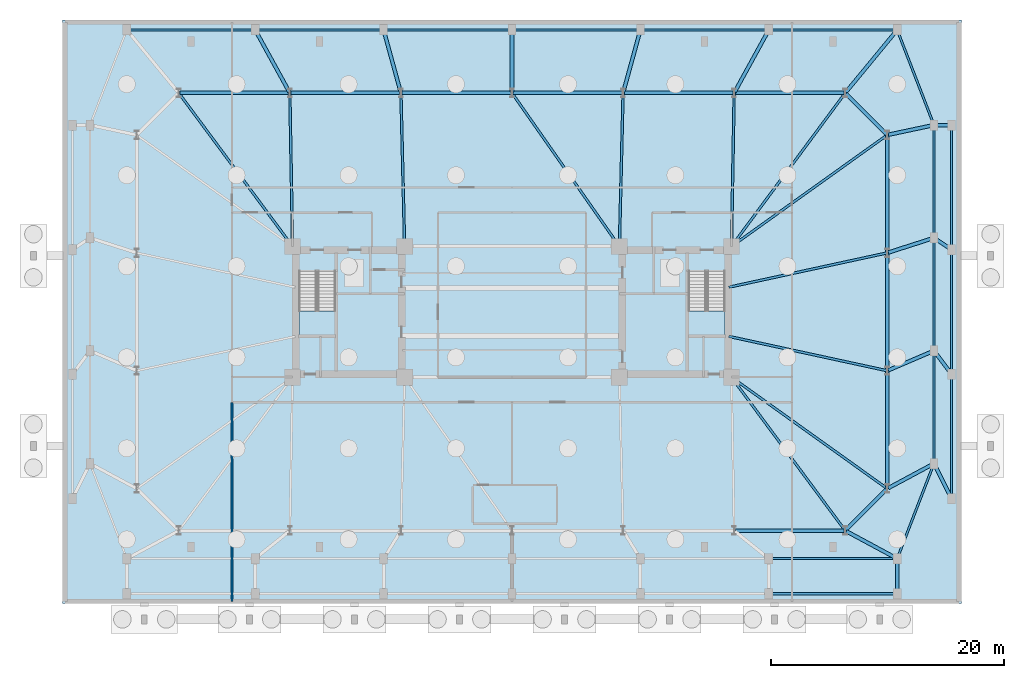
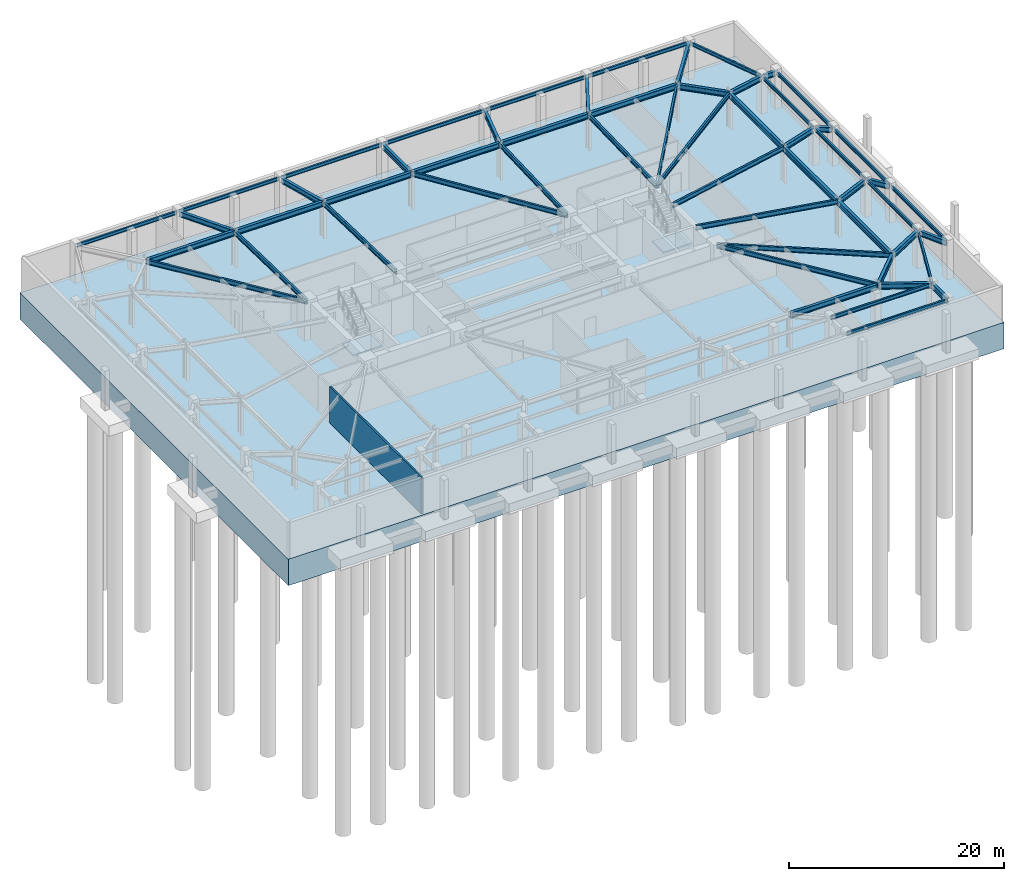
# One storey, part 7 of 15: 56 beams, 3 slabs, 1 wall, 2 elements without a shape of their own.
"""IFC4 building model written with IfcOpenShell, lengths in metres."""

from ifc_helpers import new_model, si_unit, direction, frame, frame_2d, origin, origin_2d, place, context, subcontext, project, spatial, polyline, rectangle, i_section, outline, extrude, material, layer, layer_set, material_profile, profile_set, type_object, element, aggregate, save


model = new_model("IFC4")

# Units and contexts
model_context = context("Model", 3, precision=1e-05, world=origin(), true_north=direction((0.0, 1.0)))
body_context = subcontext(model_context, "Body", "Model", "MODEL_VIEW")
ifc_project = project(units=[si_unit("LENGTHUNIT", "METRE"), si_unit("AREAUNIT", "SQUARE_METRE"), si_unit("VOLUMEUNIT", "CUBIC_METRE"), si_unit("PLANEANGLEUNIT", "RADIAN"), si_unit("MASSUNIT", "GRAM", prefix="KILO")], contexts=[model_context])

# Site, building, storey
site_placement = place(None, origin())
site = spatial("IfcSite", under=ifc_project, at=site_placement, CompositionType="ELEMENT")
building_placement = place(site_placement, origin())
building = spatial("IfcBuilding", under=site, at=building_placement, Name="Qobustan Lattice House", CompositionType="ELEMENT")
storey_placement = place(building_placement, frame((0.0, 0.0, -9.0)))
storey = spatial("IfcBuildingStorey", under=building, at=storey_placement, Name="B02", CompositionType="ELEMENT", Elevation=-9.0)

# Beams
ifc_material_1 = material(Name="Steel S355", Category="steel")
ifc_material_profile_1 = material_profile(ifc_material_1, i_section(OverallWidth=0.199951171875, OverallDepth=0.5, WebThickness=0.01025390625, FlangeThickness=0.01611328125, FilletRadius=0.02099609375, at=origin_2d()), Name="IPE500")
ifc_profile_set_1 = profile_set([ifc_material_profile_1], Name="Steel S355")
beam_type_1 = type_object("IfcBeamType", Name="BM-FLG-IPE500", PredefinedType="USERDEFINED", material=ifc_profile_set_1)
for number, where, z_axis, x_axis, name in (
    (1, (28.53515625, -18.72998046875, 3.889892578125), (-0.5955916815, 0.803287338956, 0.0), (-0.803287338956, -0.5955916815, 0.0), "B02 primary floor girder RAD-S7E"),
    (2, (-28.53515625, 18.72998046875, 3.889892578125), (0.5955916815, -0.803287338956, 0.0), (0.803287338956, 0.5955916815, 0.0), "B02 primary floor girder RAD-N7W"),
):
    element("IfcBeam", number, at=place(storey_placement, frame(where, z_axis=z_axis, x_axis=x_axis)), inside=storey, type_object=beam_type_1, Name=name, ObjectType="GIRDER", PredefinedType="USERDEFINED", context=body_context, shape_type="SweptSolid", body=[
        extrude(i_section(OverallWidth=0.199951171875, OverallDepth=0.5, WebThickness=0.01025390625, FlangeThickness=0.01611328125, FilletRadius=0.02099609375, at=origin_2d()), origin(), (0.0, 0.0, 1.0), 16.3203125),
    ])
beam_1_placement = place(storey_placement, frame((-19.032958984375, 18.72509765625, 3.889892578125), z_axis=(0.017757831607, -0.999842317276, 0.0), x_axis=(0.999842317276, 0.017757831607, 0.0)))
element("IfcBeam", 3, at=beam_1_placement, inside=storey, type_object=beam_type_1, Name="B02 primary floor girder RAD-N6", ObjectType="GIRDER", PredefinedType="USERDEFINED", context=body_context, shape_type="SweptSolid", body=[
    extrude(i_section(OverallWidth=0.199951171875, OverallDepth=0.5, WebThickness=0.01025390625, FlangeThickness=0.01611328125, FilletRadius=0.02099609375, at=origin_2d()), origin(), (0.0, 0.0, 1.0), 13.10205078125),
])
beam_2_placement = place(storey_placement, frame((-9.51611328125, 18.72509765625, 3.889892578125), z_axis=(0.024071445657, -0.999710240772, 0.0), x_axis=(0.999710240772, 0.024071445657, 0.0)))
element("IfcBeam", 4, at=beam_2_placement, inside=storey, type_object=beam_type_1, Name="B02 primary floor girder RAD-N5", ObjectType="GIRDER", PredefinedType="USERDEFINED", context=body_context, shape_type="SweptSolid", body=[
    extrude(i_section(OverallWidth=0.199951171875, OverallDepth=0.5, WebThickness=0.01025390625, FlangeThickness=0.01611328125, FilletRadius=0.02099609375, at=origin_2d()), origin(), (0.0, 0.0, 1.0), 13.10400390625),
])
beam_3_placement = place(storey_placement, frame((0.014404296875, 18.7294921875, 3.889892578125), z_axis=(0.57325954206, -0.819373844736, 0.0), x_axis=(0.819373844736, 0.57325954206, 0.0)))
element("IfcBeam", 5, at=beam_3_placement, inside=storey, type_object=beam_type_1, Name="B02 primary floor girder RAD-N4", ObjectType="GIRDER", PredefinedType="USERDEFINED", context=body_context, shape_type="SweptSolid", body=[
    extrude(i_section(OverallWidth=0.199951171875, OverallDepth=0.5, WebThickness=0.01025390625, FlangeThickness=0.01611328125, FilletRadius=0.02099609375, at=origin_2d()), origin(), (0.0, 0.0, 1.0), 15.998779296875),
])
beam_4_placement = place(storey_placement, frame((9.51611328125, 18.72509765625, 3.889892578125), z_axis=(-0.024071445657, -0.999710240772, 0.0), x_axis=(0.999710240772, -0.024071445657, 0.0)))
element("IfcBeam", 6, at=beam_4_placement, inside=storey, type_object=beam_type_1, Name="B02 primary floor girder RAD-N3", ObjectType="GIRDER", PredefinedType="USERDEFINED", context=body_context, shape_type="SweptSolid", body=[
    extrude(i_section(OverallWidth=0.199951171875, OverallDepth=0.5, WebThickness=0.01025390625, FlangeThickness=0.01611328125, FilletRadius=0.02099609375, at=origin_2d()), origin(), (0.0, 0.0, 1.0), 13.10400390625),
])
beam_5_placement = place(storey_placement, frame((19.032958984375, 18.72509765625, 3.889892578125), z_axis=(-0.017757831607, -0.999842317276, 0.0), x_axis=(0.999842317276, -0.017757831607, 0.0)))
element("IfcBeam", 7, at=beam_5_placement, inside=storey, type_object=beam_type_1, Name="B02 primary floor girder RAD-N2", ObjectType="GIRDER", PredefinedType="USERDEFINED", context=body_context, shape_type="SweptSolid", body=[
    extrude(i_section(OverallWidth=0.199951171875, OverallDepth=0.5, WebThickness=0.01025390625, FlangeThickness=0.01611328125, FilletRadius=0.02099609375, at=origin_2d()), origin(), (0.0, 0.0, 1.0), 13.10205078125),
])
beam_6_placement = place(storey_placement, frame((28.53515625, 18.72998046875, 3.889892578125), z_axis=(-0.5955916815, -0.803287338956, 0.0), x_axis=(0.803287338956, -0.5955916815, 0.0)))
element("IfcBeam", 8, at=beam_6_placement, inside=storey, type_object=beam_type_1, Name="B02 primary floor girder RAD-N1E", ObjectType="GIRDER", PredefinedType="USERDEFINED", context=body_context, shape_type="SweptSolid", body=[
    extrude(i_section(OverallWidth=0.199951171875, OverallDepth=0.5, WebThickness=0.01025390625, FlangeThickness=0.01611328125, FilletRadius=0.02099609375, at=origin_2d()), origin(), (0.0, 0.0, 1.0), 16.3203125),
])
beam_7_placement = place(storey_placement, frame((32.129638671875, 15.135498046875, 3.889892578125), z_axis=(-0.813318954893, -0.581818079481, 0.0), x_axis=(0.581818079481, -0.813318954893, 0.0)))
element("IfcBeam", 9, at=beam_7_placement, inside=storey, type_object=beam_type_1, Name="B02 primary floor girder RAD-E4", ObjectType="GIRDER", PredefinedType="USERDEFINED", context=body_context, shape_type="SweptSolid", body=[
    extrude(i_section(OverallWidth=0.199951171875, OverallDepth=0.5, WebThickness=0.01025390625, FlangeThickness=0.01611328125, FilletRadius=0.02099609375, at=origin_2d()), origin(), (0.0, 0.0, 1.0), 16.3642578125),
])
for number, where, z_axis, x_axis, name in (
    (10, (32.12548828125, 5.044677734375, 3.889892578125), (-0.97727240275, -0.211987383643, 0.0), (0.211987383643, -0.97727240275, 0.0), "B02 primary floor girder RAD-E3"),
    (11, (32.12548828125, -5.044677734375, 3.889892578125), (-0.97727240275, 0.211987383643, 0.0), (-0.211987383643, -0.97727240275, 0.0), "B02 primary floor girder RAD-E2"),
):
    element("IfcBeam", number, at=place(storey_placement, frame(where, z_axis=z_axis, x_axis=x_axis)), inside=storey, type_object=beam_type_1, Name=name, ObjectType="GIRDER", PredefinedType="USERDEFINED", context=body_context, shape_type="SweptSolid", body=[
        extrude(i_section(OverallWidth=0.199951171875, OverallDepth=0.5, WebThickness=0.01025390625, FlangeThickness=0.01611328125, FilletRadius=0.02099609375, at=origin_2d()), origin(), (0.0, 0.0, 1.0), 13.8662109375),
    ])
beam_8_placement = place(storey_placement, frame((32.129638671875, -15.135498046875, 3.889892578125), z_axis=(-0.813318954893, 0.581818079481, 0.0), x_axis=(-0.581818079481, -0.813318954893, 0.0)))
element("IfcBeam", 12, at=beam_8_placement, inside=storey, type_object=beam_type_1, Name="B02 primary floor girder RAD-E1", ObjectType="GIRDER", PredefinedType="USERDEFINED", context=body_context, shape_type="SweptSolid", body=[
    extrude(i_section(OverallWidth=0.199951171875, OverallDepth=0.5, WebThickness=0.01025390625, FlangeThickness=0.01611328125, FilletRadius=0.02099609375, at=origin_2d()), origin(), (0.0, 0.0, 1.0), 16.3642578125),
])
ifc_material_2 = material(Name="Steel S355", Category="steel")
ifc_material_profile_2 = material_profile(ifc_material_2, i_section(OverallWidth=0.300048828125, OverallDepth=0.60009765625, WebThickness=0.015380859375, FlangeThickness=0.030029296875, FilletRadius=0.027099609375, at=origin_2d()), Name="HEB600")
ifc_profile_set_2 = profile_set([ifc_material_profile_2], Name="Steel S355")
beam_type_2 = type_object("IfcBeamType", Name="BM-POD-HEB600", PredefinedType="USERDEFINED", material=ifc_profile_set_2)
beam_9_placement = place(storey_placement, frame((33.0, -24.030029296875, 3.840087890625), z_axis=(0.0, 1.0, 0.0), x_axis=(-1.0, 0.0, 0.0)))
element("IfcBeam", 13, at=beam_9_placement, inside=storey, type_object=beam_type_2, Name="B02 south terrace tie girder 7", ObjectType="GIRDER", PredefinedType="USERDEFINED", context=body_context, shape_type="SweptSolid", body=[
    extrude(i_section(OverallWidth=0.300048828125, OverallDepth=0.60009765625, WebThickness=0.015380859375, FlangeThickness=0.030029296875, FilletRadius=0.027099609375, at=origin_2d()), origin(), (0.0, 0.0, 1.0), 2.760009765625),
])
beam_10_placement = place(storey_placement, frame((37.59619140625, -15.892578125, 3.840087890625), z_axis=(-0.4472135955, 0.894427191, 0.0), x_axis=(-0.894427191, -0.4472135955, 0.0)))
element("IfcBeam", 14, at=beam_10_placement, inside=storey, type_object=beam_type_2, Name="B02 setback tie girder PEL1", ObjectType="GIRDER", PredefinedType="USERDEFINED", context=body_context, shape_type="SweptSolid", body=[
    extrude(i_section(OverallWidth=0.300048828125, OverallDepth=0.60009765625, WebThickness=0.015380859375, FlangeThickness=0.030029296875, FilletRadius=0.027099609375, at=origin_2d()), origin(), (0.0, 0.0, 1.0), 3.114013671875),
])
beam_11_placement = place(storey_placement, frame((37.577880859375, -5.2373046875, 3.840087890625), z_axis=(-0.599965431752, 0.800025925019, 0.0), x_axis=(-0.800025925019, -0.599965431752, 0.0)))
element("IfcBeam", 15, at=beam_11_placement, inside=storey, type_object=beam_type_2, Name="B02 setback tie girder PEL2", ObjectType="GIRDER", PredefinedType="USERDEFINED", context=body_context, shape_type="SweptSolid", body=[
    extrude(i_section(OverallWidth=0.300048828125, OverallDepth=0.60009765625, WebThickness=0.015380859375, FlangeThickness=0.030029296875, FilletRadius=0.027099609375, at=origin_2d()), origin(), (0.0, 0.0, 1.0), 2.260009765625),
])
beam_12_placement = place(storey_placement, frame((37.55029296875, 5.39990234375, 3.840087890625), z_axis=(-0.832074324237, 0.554664149684, 0.0), x_axis=(-0.554664149684, -0.832074324237, 0.0)))
element("IfcBeam", 16, at=beam_12_placement, inside=storey, type_object=beam_type_2, Name="B02 setback tie girder PEL3", ObjectType="GIRDER", PredefinedType="USERDEFINED", context=body_context, shape_type="SweptSolid", body=[
    extrude(i_section(OverallWidth=0.300048828125, OverallDepth=0.60009765625, WebThickness=0.015380859375, FlangeThickness=0.030029296875, FilletRadius=0.027099609375, at=origin_2d()), origin(), (0.0, 0.0, 1.0), 1.56298828125),
])
beam_13_placement = place(storey_placement, frame((37.530029296875, 16.0, 3.840087890625), z_axis=(-1.0, 0.0, 0.0), x_axis=(0.0, -1.0, 0.0)))
element("IfcBeam", 17, at=beam_13_placement, inside=storey, type_object=beam_type_2, Name="B02 setback tie girder PEL4", ObjectType="GIRDER", PredefinedType="USERDEFINED", context=body_context, shape_type="SweptSolid", body=[
    extrude(i_section(OverallWidth=0.300048828125, OverallDepth=0.60009765625, WebThickness=0.015380859375, FlangeThickness=0.030029296875, FilletRadius=0.027099609375, at=origin_2d()), origin(), (0.0, 0.0, 1.0), 1.260009765625),
])
beam_14_placement = place(storey_placement, frame((19.13330078125, -18.75, 3.840087890625), z_axis=(1.0, 0.0, 0.0), x_axis=(0.0, 1.0, 0.0)))
element("IfcBeam", 18, at=beam_14_placement, inside=storey, type_object=beam_type_2, Name="B02 tower base ring girder S6-S7", ObjectType="GIRDER", PredefinedType="USERDEFINED", context=body_context, shape_type="SweptSolid", body=[
    extrude(i_section(OverallWidth=0.300048828125, OverallDepth=0.60009765625, WebThickness=0.015380859375, FlangeThickness=0.030029296875, FilletRadius=0.027099609375, at=origin_2d()), origin(), (0.0, 0.0, 1.0), 9.316650390625),
])
beam_15_placement = place(storey_placement, frame((28.62060546875, -18.67919921875, 3.840087890625), z_axis=(0.70713173775, 0.707081823743, 0.0), x_axis=(-0.707081823743, 0.70713173775, 0.0)))
element("IfcBeam", 19, at=beam_15_placement, inside=storey, type_object=beam_type_2, Name="B02 tower base ring girder S7-E1", ObjectType="GIRDER", PredefinedType="USERDEFINED", context=body_context, shape_type="SweptSolid", body=[
    extrude(i_section(OverallWidth=0.300048828125, OverallDepth=0.60009765625, WebThickness=0.015380859375, FlangeThickness=0.030029296875, FilletRadius=0.027099609375, at=origin_2d()), origin(), (0.0, 0.0, 1.0), 4.89111328125),
])
beam_16_placement = place(storey_placement, frame((32.14990234375, -15.050048828125, 3.840087890625), z_axis=(0.0, 1.0, 0.0), x_axis=(-1.0, 0.0, 0.0)))
element("IfcBeam", 20, at=beam_16_placement, inside=storey, type_object=beam_type_2, Name="B02 tower base ring girder E1-E2", ObjectType="GIRDER", PredefinedType="USERDEFINED", context=body_context, shape_type="SweptSolid", body=[
    extrude(i_section(OverallWidth=0.300048828125, OverallDepth=0.60009765625, WebThickness=0.015380859375, FlangeThickness=0.030029296875, FilletRadius=0.027099609375, at=origin_2d()), origin(), (0.0, 0.0, 1.0), 9.900146484375),
])
beam_17_placement = place(storey_placement, frame((32.14990234375, -4.949951171875, 3.840087890625), z_axis=(0.0, 1.0, 0.0), x_axis=(-1.0, 0.0, 0.0)))
element("IfcBeam", 21, at=beam_17_placement, inside=storey, type_object=beam_type_2, Name="B02 tower base ring girder E2-E3", ObjectType="GIRDER", PredefinedType="USERDEFINED", context=body_context, shape_type="SweptSolid", body=[
    extrude(i_section(OverallWidth=0.300048828125, OverallDepth=0.60009765625, WebThickness=0.015380859375, FlangeThickness=0.030029296875, FilletRadius=0.027099609375, at=origin_2d()), origin(), (0.0, 0.0, 1.0), 9.89990234375),
])
beam_18_placement = place(storey_placement, frame((32.14990234375, 5.14990234375, 3.840087890625), z_axis=(0.0, 1.0, 0.0), x_axis=(-1.0, 0.0, 0.0)))
element("IfcBeam", 22, at=beam_18_placement, inside=storey, type_object=beam_type_2, Name="B02 tower base ring girder E3-E4", ObjectType="GIRDER", PredefinedType="USERDEFINED", context=body_context, shape_type="SweptSolid", body=[
    extrude(i_section(OverallWidth=0.300048828125, OverallDepth=0.60009765625, WebThickness=0.015380859375, FlangeThickness=0.030029296875, FilletRadius=0.027099609375, at=origin_2d()), origin(), (0.0, 0.0, 1.0), 9.900146484375),
])
beam_19_placement = place(storey_placement, frame((32.079345703125, 15.220703125, 3.840087890625), z_axis=(-0.70713173775, 0.707081823743, 0.0), x_axis=(-0.707081823743, -0.70713173775, 0.0)))
element("IfcBeam", 23, at=beam_19_placement, inside=storey, type_object=beam_type_2, Name="B02 tower base ring girder E4-N1", ObjectType="GIRDER", PredefinedType="USERDEFINED", context=body_context, shape_type="SweptSolid", body=[
    extrude(i_section(OverallWidth=0.300048828125, OverallDepth=0.60009765625, WebThickness=0.015380859375, FlangeThickness=0.030029296875, FilletRadius=0.027099609375, at=origin_2d()), origin(), (0.0, 0.0, 1.0), 4.89111328125),
])
for number, where, z_axis, x_axis, name in (
    (24, (28.449951171875, 18.75, 3.840087890625), (-1.0, 0.0, 0.0), (0.0, -1.0, 0.0), "B02 tower base ring girder N1-N2"),
    (25, (18.933349609375, 18.75, 3.840087890625), (-1.0, 0.0, 0.0), (0.0, -1.0, 0.0), "B02 tower base ring girder N2-N3"),
    (26, (9.416748046875, 18.75, 3.840087890625), (-1.0, 0.0, 0.0), (0.0, -1.0, 0.0), "B02 tower base ring girder N3-N4"),
    (27, (-0.10009765625, 18.75, 3.840087890625), (-1.0, 0.0, 0.0), (0.0, -1.0, 0.0), "B02 tower base ring girder N4-N5"),
    (28, (-9.61669921875, 18.75, 3.840087890625), (-1.0, 0.0, 0.0), (0.0, -1.0, 0.0), "B02 tower base ring girder N5-N6"),
    (29, (-19.13330078125, 18.75, 3.840087890625), (-1.0, 0.0, 0.0), (0.0, -1.0, 0.0), "B02 tower base ring girder N6-N7"),
):
    element("IfcBeam", number, at=place(storey_placement, frame(where, z_axis=z_axis, x_axis=x_axis)), inside=storey, type_object=beam_type_2, Name=name, ObjectType="GIRDER", PredefinedType="USERDEFINED", context=body_context, shape_type="SweptSolid", body=[
        extrude(i_section(OverallWidth=0.300048828125, OverallDepth=0.60009765625, WebThickness=0.015380859375, FlangeThickness=0.030029296875, FilletRadius=0.027099609375, at=origin_2d()), origin(), (0.0, 0.0, 1.0), 9.316650390625),
    ])
beam_20_placement = place(storey_placement, frame((-21.942138671875, 24.044921875, 3.840087890625), z_axis=(0.481478583255, -0.876457856298, 0.0), x_axis=(0.876457856298, 0.481478583255, 0.0)))
element("IfcBeam", 30, at=beam_20_placement, inside=storey, type_object=beam_type_2, Name="B02 podium radial girder PN2", ObjectType="GIRDER", PredefinedType="USERDEFINED", context=body_context, shape_type="SweptSolid", body=[
    extrude(i_section(OverallWidth=0.300048828125, OverallDepth=0.60009765625, WebThickness=0.015380859375, FlangeThickness=0.030029296875, FilletRadius=0.027099609375, at=origin_2d()), origin(), (0.0, 0.0, 1.0), 5.941162109375),
])
beam_21_placement = place(storey_placement, frame((-10.96826171875, 24.0341796875, 3.840087890625), z_axis=(0.264883295611, -0.964280477717, 0.0), x_axis=(0.964280477717, 0.264883295611, 0.0)))
element("IfcBeam", 31, at=beam_21_placement, inside=storey, type_object=beam_type_2, Name="B02 podium radial girder PN3", ObjectType="GIRDER", PredefinedType="USERDEFINED", context=body_context, shape_type="SweptSolid", body=[
    extrude(i_section(OverallWidth=0.300048828125, OverallDepth=0.60009765625, WebThickness=0.015380859375, FlangeThickness=0.030029296875, FilletRadius=0.027099609375, at=origin_2d()), origin(), (0.0, 0.0, 1.0), 5.3798828125),
])
beam_22_placement = place(storey_placement, frame((0.0, 24.030029296875, 3.840087890625), z_axis=(0.0, -1.0, 0.0), x_axis=(1.0, 0.0, 0.0)))
element("IfcBeam", 32, at=beam_22_placement, inside=storey, type_object=beam_type_2, Name="B02 podium radial girder PN4", ObjectType="GIRDER", PredefinedType="USERDEFINED", context=body_context, shape_type="SweptSolid", body=[
    extrude(i_section(OverallWidth=0.300048828125, OverallDepth=0.60009765625, WebThickness=0.015380859375, FlangeThickness=0.030029296875, FilletRadius=0.027099609375, at=origin_2d()), origin(), (0.0, 0.0, 1.0), 5.179931640625),
])
beam_23_placement = place(storey_placement, frame((10.96826171875, 24.0341796875, 3.840087890625), z_axis=(-0.264883295611, -0.964280477717, 0.0), x_axis=(0.964280477717, -0.264883295611, 0.0)))
element("IfcBeam", 33, at=beam_23_placement, inside=storey, type_object=beam_type_2, Name="B02 podium radial girder PN5", ObjectType="GIRDER", PredefinedType="USERDEFINED", context=body_context, shape_type="SweptSolid", body=[
    extrude(i_section(OverallWidth=0.300048828125, OverallDepth=0.60009765625, WebThickness=0.015380859375, FlangeThickness=0.030029296875, FilletRadius=0.027099609375, at=origin_2d()), origin(), (0.0, 0.0, 1.0), 5.3798828125),
])
beam_24_placement = place(storey_placement, frame((21.942138671875, 24.044921875, 3.840087890625), z_axis=(-0.481478583255, -0.876457856298, 0.0), x_axis=(0.876457856298, -0.481478583255, 0.0)))
element("IfcBeam", 34, at=beam_24_placement, inside=storey, type_object=beam_type_2, Name="B02 podium radial girder PN6", ObjectType="GIRDER", PredefinedType="USERDEFINED", context=body_context, shape_type="SweptSolid", body=[
    extrude(i_section(OverallWidth=0.300048828125, OverallDepth=0.60009765625, WebThickness=0.015380859375, FlangeThickness=0.030029296875, FilletRadius=0.027099609375, at=origin_2d()), origin(), (0.0, 0.0, 1.0), 5.941162109375),
])
beam_25_placement = place(storey_placement, frame((32.894287109375, -21.093017578125, 3.840087890625), z_axis=(-0.88016615165, 0.474665719732, 0.0), x_axis=(-0.474665719732, -0.88016615165, 0.0)))
element("IfcBeam", 35, at=beam_25_placement, inside=storey, type_object=beam_type_2, Name="B02 podium radial girder PS7", ObjectType="GIRDER", PredefinedType="USERDEFINED", context=body_context, shape_type="SweptSolid", body=[
    extrude(i_section(OverallWidth=0.300048828125, OverallDepth=0.60009765625, WebThickness=0.015380859375, FlangeThickness=0.030029296875, FilletRadius=0.027099609375, at=origin_2d()), origin(), (0.0, 0.0, 1.0), 4.8359375),
])
beam_26_placement = place(storey_placement, frame((32.923583984375, 24.057373046875, 3.840087890625), z_axis=(-0.635954703728, -0.771726385973, 0.0), x_axis=(0.771726385973, -0.635954703728, 0.0)))
element("IfcBeam", 36, at=beam_26_placement, inside=storey, type_object=beam_type_2, Name="B02 podium radial girder PN7", ObjectType="GIRDER", PredefinedType="USERDEFINED", context=body_context, shape_type="SweptSolid", body=[
    extrude(i_section(OverallWidth=0.300048828125, OverallDepth=0.60009765625, WebThickness=0.015380859375, FlangeThickness=0.030029296875, FilletRadius=0.027099609375, at=origin_2d()), origin(), (0.0, 0.0, 1.0), 6.77734375),
])
beam_27_placement = place(storey_placement, frame((36.044189453125, -13.056884765625, 3.840087890625), z_axis=(-0.880815561441, -0.473459551307, 0.0), x_axis=(0.473459551307, -0.880815561441, 0.0)))
element("IfcBeam", 37, at=beam_27_placement, inside=storey, type_object=beam_type_2, Name="B02 podium radial girder PE1", ObjectType="GIRDER", PredefinedType="USERDEFINED", context=body_context, shape_type="SweptSolid", body=[
    extrude(i_section(OverallWidth=0.300048828125, OverallDepth=0.60009765625, WebThickness=0.015380859375, FlangeThickness=0.030029296875, FilletRadius=0.027099609375, at=origin_2d()), origin(), (0.0, 0.0, 1.0), 4.3212890625),
])
beam_28_placement = place(storey_placement, frame((36.039794921875, -3.380615234375, 3.840087890625), z_axis=(-0.918949362679, -0.394375542893, 0.0), x_axis=(0.394375542893, -0.918949362679, 0.0)))
element("IfcBeam", 38, at=beam_28_placement, inside=storey, type_object=beam_type_2, Name="B02 podium radial girder PE2", ObjectType="GIRDER", PredefinedType="USERDEFINED", context=body_context, shape_type="SweptSolid", body=[
    extrude(i_section(OverallWidth=0.300048828125, OverallDepth=0.60009765625, WebThickness=0.015380859375, FlangeThickness=0.030029296875, FilletRadius=0.027099609375, at=origin_2d()), origin(), (0.0, 0.0, 1.0), 4.1328125),
])
beam_29_placement = place(storey_placement, frame((36.03564453125, 6.296630859375, 3.840087890625), z_axis=(-0.952198151545, -0.305481063561, 0.0), x_axis=(0.305481063561, -0.952198151545, 0.0)))
element("IfcBeam", 39, at=beam_29_placement, inside=storey, type_object=beam_type_2, Name="B02 podium radial girder PE3", ObjectType="GIRDER", PredefinedType="USERDEFINED", context=body_context, shape_type="SweptSolid", body=[
    extrude(i_section(OverallWidth=0.300048828125, OverallDepth=0.60009765625, WebThickness=0.015380859375, FlangeThickness=0.030029296875, FilletRadius=0.027099609375, at=origin_2d()), origin(), (0.0, 0.0, 1.0), 3.980712890625),
])
beam_30_placement = place(storey_placement, frame((36.03271484375, 15.97509765625, 3.840087890625), z_axis=(-0.978163821655, -0.207835362738, 0.0), x_axis=(0.207835362738, -0.978163821655, 0.0)))
element("IfcBeam", 40, at=beam_30_placement, inside=storey, type_object=beam_type_2, Name="B02 podium radial girder PE4", ObjectType="GIRDER", PredefinedType="USERDEFINED", context=body_context, shape_type="SweptSolid", body=[
    extrude(i_section(OverallWidth=0.300048828125, OverallDepth=0.60009765625, WebThickness=0.015380859375, FlangeThickness=0.030029296875, FilletRadius=0.027099609375, at=origin_2d()), origin(), (0.0, 0.0, 1.0), 3.869384765625),
])
ifc_material_3 = material(Name="Steel S355", Category="steel")
ifc_material_profile_3 = material_profile(ifc_material_3, i_section(OverallWidth=0.179931640625, OverallDepth=0.39990234375, WebThickness=0.008544921875, FlangeThickness=0.013427734375, FilletRadius=0.02099609375, at=origin_2d()), Name="IPE400")
ifc_profile_set_3 = profile_set([ifc_material_profile_3], Name="Steel S355")
beam_type_3 = type_object("IfcBeamType", Name="BM-SPD-IPE400", PredefinedType="SPANDREL", material=ifc_profile_set_3)
for number, where, z_axis, x_axis, name in (
    (41, (22.1201171875, -21.14990234375, 3.93994140625), (1.0, 0.0, 0.0), (0.0, 1.0, 0.0), "B02 podium spandrel PS6-PS7"),
    (42, (-32.8798828125, 24.14990234375, 3.93994140625), (1.0, 0.0, 0.0), (0.0, 1.0, 0.0), "B02 podium spandrel PN1-PN2"),
    (43, (-21.8798828125, 24.14990234375, 3.93994140625), (1.0, 0.0, 0.0), (0.0, 1.0, 0.0), "B02 podium spandrel PN2-PN3"),
    (44, (-10.8798828125, 24.14990234375, 3.93994140625), (1.0, 0.0, 0.0), (0.0, 1.0, 0.0), "B02 podium spandrel PN3-PN4"),
    (45, (0.1201171875, 24.14990234375, 3.93994140625), (1.0, 0.0, 0.0), (0.0, 1.0, 0.0), "B02 podium spandrel PN4-PN5"),
    (46, (11.1201171875, 24.14990234375, 3.93994140625), (1.0, 0.0, 0.0), (0.0, 1.0, 0.0), "B02 podium spandrel PN5-PN6"),
    (47, (22.1201171875, 24.14990234375, 3.93994140625), (1.0, 0.0, 0.0), (0.0, 1.0, 0.0), "B02 podium spandrel PN6-PN7"),
):
    element("IfcBeam", number, at=place(storey_placement, frame(where, z_axis=z_axis, x_axis=x_axis)), inside=storey, type_object=beam_type_3, Name=name, PredefinedType="SPANDREL", context=body_context, shape_type="SweptSolid", body=[
        extrude(i_section(OverallWidth=0.179931640625, OverallDepth=0.39990234375, WebThickness=0.008544921875, FlangeThickness=0.013427734375, FilletRadius=0.02099609375, at=origin_2d()), origin(), (0.0, 0.0, 1.0), 10.759765625),
    ])
beam_31_placement = place(storey_placement, frame((36.14990234375, -12.8798828125, 3.93994140625), z_axis=(0.0, 1.0, 0.0), x_axis=(-1.0, 0.0, 0.0)))
element("IfcBeam", 48, at=beam_31_placement, inside=storey, type_object=beam_type_3, Name="B02 podium spandrel PE1-PE2", PredefinedType="SPANDREL", context=body_context, shape_type="SweptSolid", body=[
    extrude(i_section(OverallWidth=0.179931640625, OverallDepth=0.39990234375, WebThickness=0.008544921875, FlangeThickness=0.013427734375, FilletRadius=0.02099609375, at=origin_2d()), origin(), (0.0, 0.0, 1.0), 9.426513671875),
])
for number, where, z_axis, x_axis, name in (
    (49, (36.14990234375, -3.21337890625, 3.93994140625), (0.0, 1.0, 0.0), (-1.0, 0.0, 0.0), "B02 podium spandrel PE2-PE3"),
    (50, (36.14990234375, 6.453369140625, 3.93994140625), (0.0, 1.0, 0.0), (-1.0, 0.0, 0.0), "B02 podium spandrel PE3-PE4"),
):
    element("IfcBeam", number, at=place(storey_placement, frame(where, z_axis=z_axis, x_axis=x_axis)), inside=storey, type_object=beam_type_3, Name=name, PredefinedType="SPANDREL", context=body_context, shape_type="SweptSolid", body=[
        extrude(i_section(OverallWidth=0.179931640625, OverallDepth=0.39990234375, WebThickness=0.008544921875, FlangeThickness=0.013427734375, FilletRadius=0.02099609375, at=origin_2d()), origin(), (0.0, 0.0, 1.0), 9.4267578125),
    ])
beam_32_placement = place(storey_placement, frame((33.043212890625, 24.0380859375, 3.93994140625), z_axis=(0.360516886299, -0.932752686779, 0.0), x_axis=(0.932752686779, 0.360516886299, 0.0)))
element("IfcBeam", 51, at=beam_32_placement, inside=storey, type_object=beam_type_3, Name="B02 podium corner tie PN7-PE4", PredefinedType="SPANDREL", context=body_context, shape_type="SweptSolid", body=[
    extrude(i_section(OverallWidth=0.179931640625, OverallDepth=0.39990234375, WebThickness=0.008544921875, FlangeThickness=0.013427734375, FilletRadius=0.02099609375, at=origin_2d()), origin(), (0.0, 0.0, 1.0), 8.49755859375),
])
beam_33_placement = place(storey_placement, frame((36.106689453125, -13.11181640625, 3.93994140625), z_axis=(-0.360507225068, -0.93275642087, 0.0), x_axis=(0.93275642087, -0.360507225068, 0.0)))
element("IfcBeam", 52, at=beam_33_placement, inside=storey, type_object=beam_type_3, Name="B02 podium corner tie PE1-PS7", PredefinedType="SPANDREL", context=body_context, shape_type="SweptSolid", body=[
    extrude(i_section(OverallWidth=0.179931640625, OverallDepth=0.39990234375, WebThickness=0.008544921875, FlangeThickness=0.013427734375, FilletRadius=0.02099609375, at=origin_2d()), origin(), (0.0, 0.0, 1.0), 8.497802734375),
])
beam_34_placement = place(storey_placement, frame((22.1201171875, -24.14990234375, 3.93994140625), z_axis=(1.0, 0.0, 0.0), x_axis=(0.0, 1.0, 0.0)))
element("IfcBeam", 53, at=beam_34_placement, inside=storey, type_object=beam_type_3, Name="B02 lower podium spandrel PSL6-PSL7", PredefinedType="SPANDREL", context=body_context, shape_type="SweptSolid", body=[
    extrude(i_section(OverallWidth=0.179931640625, OverallDepth=0.39990234375, WebThickness=0.008544921875, FlangeThickness=0.013427734375, FilletRadius=0.02099609375, at=origin_2d()), origin(), (0.0, 0.0, 1.0), 10.759765625),
])
beam_35_placement = place(storey_placement, frame((37.64990234375, -15.8798828125, 3.93994140625), z_axis=(0.0, 1.0, 0.0), x_axis=(-1.0, 0.0, 0.0)))
element("IfcBeam", 54, at=beam_35_placement, inside=storey, type_object=beam_type_3, Name="B02 lower podium spandrel PEL1-PEL2", PredefinedType="SPANDREL", context=body_context, shape_type="SweptSolid", body=[
    extrude(i_section(OverallWidth=0.179931640625, OverallDepth=0.39990234375, WebThickness=0.008544921875, FlangeThickness=0.013427734375, FilletRadius=0.02099609375, at=origin_2d()), origin(), (0.0, 0.0, 1.0), 10.426513671875),
])
for number, where, z_axis, x_axis, name in (
    (55, (37.64990234375, -5.21337890625, 3.93994140625), (0.0, 1.0, 0.0), (-1.0, 0.0, 0.0), "B02 lower podium spandrel PEL2-PEL3"),
    (56, (37.64990234375, 5.453369140625, 3.93994140625), (0.0, 1.0, 0.0), (-1.0, 0.0, 0.0), "B02 lower podium spandrel PEL3-PEL4"),
):
    element("IfcBeam", number, at=place(storey_placement, frame(where, z_axis=z_axis, x_axis=x_axis)), inside=storey, type_object=beam_type_3, Name=name, PredefinedType="SPANDREL", context=body_context, shape_type="SweptSolid", body=[
        extrude(i_section(OverallWidth=0.179931640625, OverallDepth=0.39990234375, WebThickness=0.008544921875, FlangeThickness=0.013427734375, FilletRadius=0.02099609375, at=origin_2d()), origin(), (0.0, 0.0, 1.0), 10.4267578125),
    ])

# Stair, slab
ifc_material_4 = material(Name="Concrete C40/50", Category="concrete")
stair_type = type_object("IfcStairType", Name="STR-CORE-DOGLEG", PredefinedType="HALF_TURN_STAIR", material=ifc_material_4)
stair_1_placement = place(storey_placement, origin())
stair_1 = element("IfcStair", 57, at=stair_1_placement, inside=storey, type_object=stair_type, Name="B02 West protected exit stair ST-W1", PredefinedType="HALF_TURN_STAIR")
ifc_material_5 = material(Name="Concrete C40/50", Category="concrete")
ifc_layer_1 = layer(ifc_material_5, 0.199951171875)
ifc_layer_set_1 = layer_set([ifc_layer_1], Name="Concrete C40/50")
slab_type_1 = type_object("IfcSlabType", Name="SLB-LANDING-200", PredefinedType="LANDING", material=ifc_layer_set_1)
slab_1_placement = place(storey_placement, frame((0.0, 0.0, 2.050048828125)))
slab_1 = element("IfcSlab", 58, at=slab_1_placement, type_object=slab_type_1, Name="ST-W1 landing 1", PredefinedType="LANDING", context=body_context, shape_type="SweptSolid", body=[
    extrude(outline(polyline([(-18.25, 0.080078125), (-18.25, -2.050048828125), (-15.1298828125, -2.050048828125), (-15.1298828125, 0.080078125), (-18.25, 0.080078125)])), origin(), (0.0, 0.0, 1.0), 0.199951171875),
])
aggregate(stair_1, [slab_1])

stair_2_placement = place(storey_placement, origin())
stair_2 = element("IfcStair", 59, at=stair_2_placement, inside=storey, type_object=stair_type, Name="B02 East protected exit stair ST-E1", PredefinedType="HALF_TURN_STAIR")
slab_2_placement = place(storey_placement, frame((0.0, 0.0, 2.050048828125)))
slab_2 = element("IfcSlab", 60, at=slab_2_placement, type_object=slab_type_1, Name="ST-E1 landing 1", PredefinedType="LANDING", context=body_context, shape_type="SweptSolid", body=[
    extrude(outline(polyline([(15.1298828125, 0.080078125), (15.1298828125, -2.050048828125), (18.25, -2.050048828125), (18.25, 0.080078125), (15.1298828125, 0.080078125)])), origin(), (0.0, 0.0, 1.0), 0.199951171875),
])
aggregate(stair_2, [slab_2])

# Slab
ifc_material_6 = material(Name="Concrete C50/60", Category="concrete")
ifc_layer_2 = layer(ifc_material_6, 3.0)
ifc_layer_set_2 = layer_set([ifc_layer_2], Name="Concrete C50/60")
slab_type_2 = type_object("IfcSlabType", Name="SLB-RAFT-3000", PredefinedType="BASESLAB", material=ifc_layer_set_2)
slab_3_placement = place(storey_placement, frame((0.0, 0.0, -3.0)))
element("IfcSlab", 61, at=slab_3_placement, inside=storey, type_object=slab_type_2, Name="Substructure piled raft foundation slab", PredefinedType="BASESLAB", context=body_context, shape_type="SweptSolid", body=[
    extrude(outline(polyline([(-38.5, -25.0), (38.5, -25.0), (38.5, 25.0), (-38.5, 25.0), (-38.5, -25.0)])), origin(), (0.0, 0.0, 1.0), 3.0),
])

# Wall
ifc_material_7 = material(Name="Gypsum fireboard acoustic partition", Category="gypsum")
ifc_layer_3 = layer(ifc_material_7, 0.179931640625)
ifc_layer_set_3 = layer_set([ifc_layer_3], Name="Gypsum fireboard acoustic partition")
wall_type = type_object("IfcWallType", Name="WAL-FIRE-180", PredefinedType="PARTITIONING", material=ifc_layer_set_3)
wall_placement = place(storey_placement, frame((-24.0, -7.75, 0.0), z_axis=(0.0, 0.0, 1.0), x_axis=(0.0, -1.0, 0.0)))
element("IfcWall", 62, at=wall_placement, inside=storey, type_object=wall_type, Name="B02 interior partition 38", PredefinedType="PARTITIONING", context=body_context, shape_type="SweptSolid", body=[
    extrude(rectangle(XDim=17.050048828125, YDim=0.179931640625, at=frame_2d((8.52490234375, 0.0))), origin(), (0.0, 0.0, 1.0), 4.139892578125),
])

save(model, "model.ifc")
